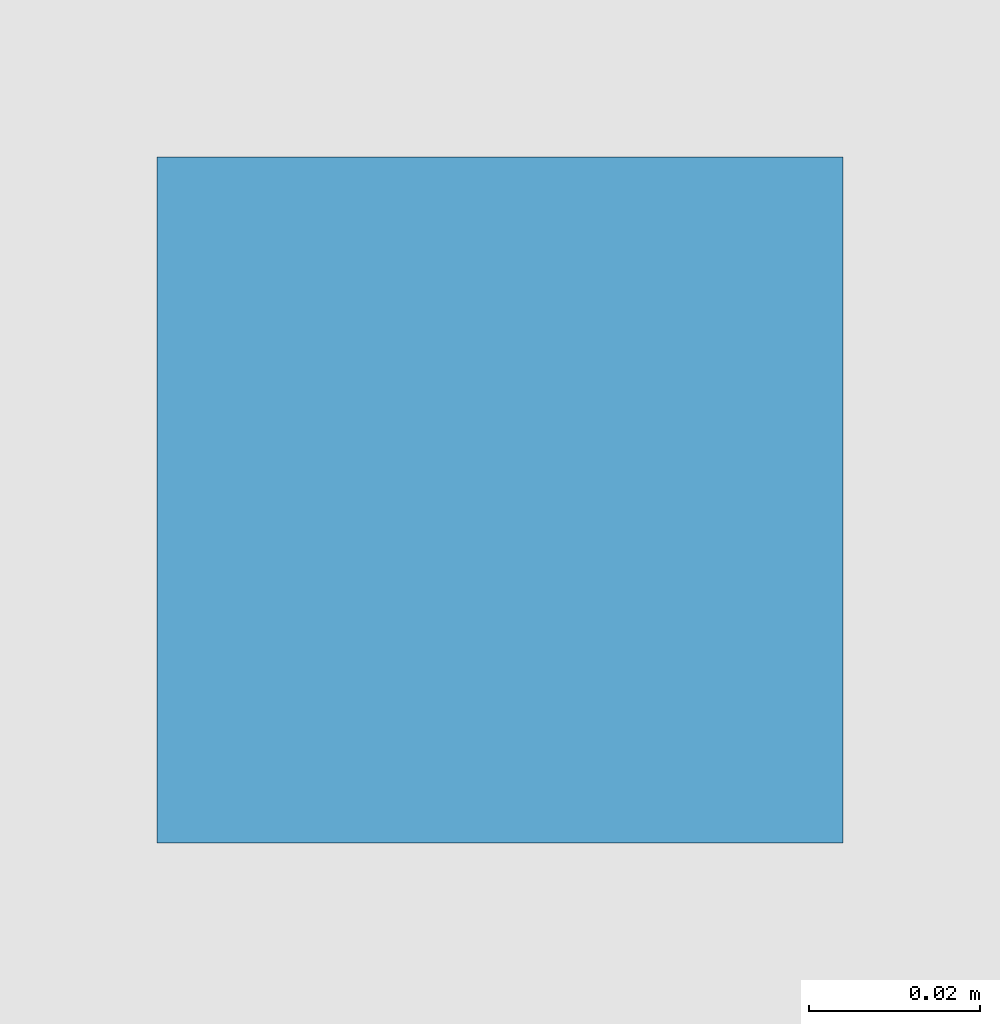
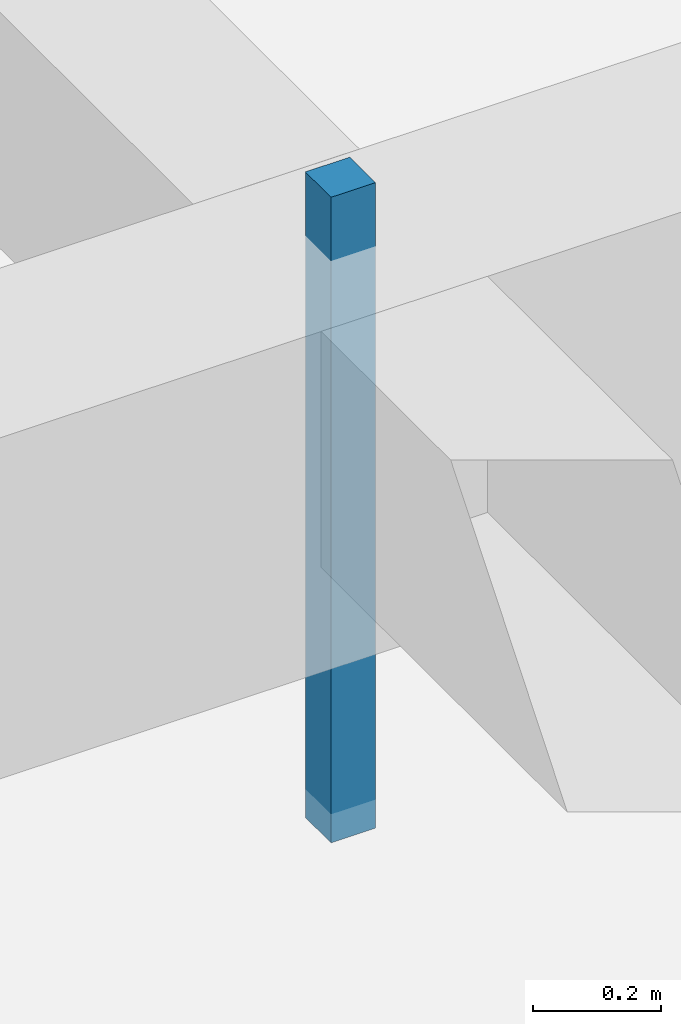
# One storey, part 144 of 163: 1 discrete accessory.
"""IFC4 building model written with IfcOpenShell, lengths in metres."""

from ifc_helpers import new_model, si_unit, direction, frame, origin, origin_2d, place, context, subcontext, project, spatial, rectangle, extrude, material, layer, layer_set, type_object, element, save


model = new_model("IFC4")

# Units and contexts
model_context = context("Model", 3, precision=1e-05, world=origin(), true_north=direction((0.0, 1.0)))
body_context = subcontext(model_context, "Body", "Model", "MODEL_VIEW")
ifc_project = project(units=[si_unit("LENGTHUNIT", "METRE"), si_unit("AREAUNIT", "SQUARE_METRE"), si_unit("VOLUMEUNIT", "CUBIC_METRE"), si_unit("PLANEANGLEUNIT", "RADIAN"), si_unit("MASSUNIT", "GRAM", prefix="KILO")], contexts=[model_context])

# Site, building, storey
site_placement = place(None, origin())
site = spatial("IfcSite", under=ifc_project, at=site_placement, CompositionType="ELEMENT")
building_placement = place(site_placement, origin())
building = spatial("IfcBuilding", under=site, at=building_placement, Name="Varnabhumi Central Station", CompositionType="ELEMENT")
storey_placement = place(building_placement, frame((0.0, 0.0, 9.60009765625)))
storey = spatial("IfcBuildingStorey", under=building, at=storey_placement, Name="L02", CompositionType="ELEMENT", Elevation=9.60009765625)

# Discrete accessory
ifc_material = material(Name="Structural steel E350", Category="steel")
ifc_layer = layer(ifc_material, 0.159912109375, Name="Structural steel E350", Category="steel")
ifc_layer_set = layer_set([ifc_layer], Name="Structural steel E350")
discrete_accessory_type = type_object("IfcDiscreteAccessoryType", Name="ACC-SHADE-BRKT", PredefinedType="BRACKET", material=ifc_layer_set)
discrete_accessory_placement = place(storey_placement, frame((36.0, 89.0, 5.239990234375), z_axis=(0.0, 0.0, 1.0), x_axis=(1.0, 0.0, 0.0)))
element("IfcDiscreteAccessory", 1, at=discrete_accessory_placement, inside=storey, type_object=discrete_accessory_type, Name="Executive Waiting Lounge Ceiling Hanger", PredefinedType="BRACKET", context=body_context, shape_type="SweptSolid", body=[
    extrude(rectangle(XDim=0.080078125, YDim=0.080078125, at=origin_2d()), origin(), (0.0, 0.0, 1.0), 1.22998046875),
])

save(model, "model.ifc")
